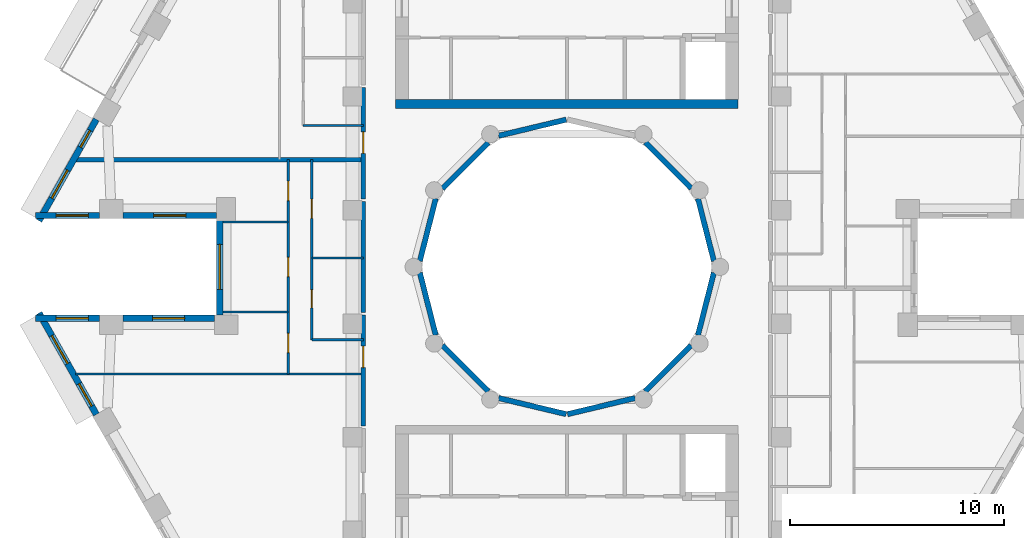
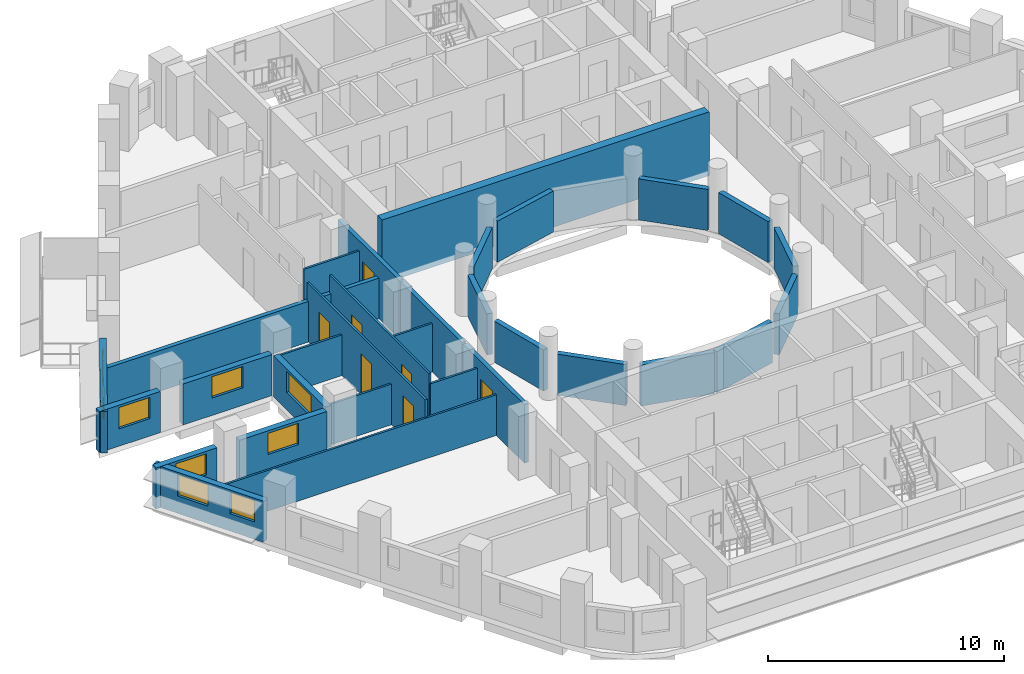
# One storey, part 4 of 13: 31 walls, 9 windows, 7 doors, 16 openings.
"""IFC4 building model written with IfcOpenShell, lengths in metres."""

from ifc_helpers import new_model, si_unit, direction, frame, frame_2d, origin, place, context, subcontext, project, spatial, rectangle, extrude, material, layer, layer_set, type_object, element, fill, save


model = new_model("IFC4")

# Units and contexts
model_context = context("Model", 3, precision=1e-05, world=origin(), true_north=direction((0.0, 1.0)))
body_context = subcontext(model_context, "Body", "Model", "MODEL_VIEW")
ifc_project = project(units=[si_unit("LENGTHUNIT", "METRE"), si_unit("AREAUNIT", "SQUARE_METRE"), si_unit("VOLUMEUNIT", "CUBIC_METRE"), si_unit("PLANEANGLEUNIT", "RADIAN"), si_unit("MASSUNIT", "GRAM", prefix="KILO")], contexts=[model_context])

# Site, building, storey
site_placement = place(None, origin())
site = spatial("IfcSite", under=ifc_project, at=site_placement, CompositionType="ELEMENT")
building_placement = place(site_placement, origin())
building = spatial("IfcBuilding", under=site, at=building_placement, Name="Nakaniwa Court", CompositionType="ELEMENT")
storey_placement = place(building_placement, frame((0.0, 0.0, 269.10009765625)))
storey = spatial("IfcBuildingStorey", under=building, at=storey_placement, Name="L71", CompositionType="ELEMENT", Elevation=269.10009765625)

# Wall, opening, door
ifc_material_1 = material(Name="Acoustic double stud partition")
ifc_layer_1 = layer(ifc_material_1, 0.199951171875)
ifc_layer_set_1 = layer_set([ifc_layer_1], Name="Acoustic double stud partition")
wall_type_1 = type_object("IfcWallType", Name="Acoustic double stud partition 200", PredefinedType="PARTITIONING", material=ifc_layer_set_1)
wall_1_placement = place(storey_placement, frame((70.5, 72.576904296875, 0.0), z_axis=(0.0, 0.0, 1.0), x_axis=(0.0, 1.0, 0.0)))
wall_1 = element("IfcWall", 1, at=wall_1_placement, inside=storey, type_object=wall_type_1, Name="Partition PW-088", PredefinedType="PARTITIONING", context=body_context, shape_type="SweptSolid", body=[
    extrude(rectangle(XDim=5.18603515625, YDim=0.199951171875, at=frame_2d((2.593017578125, 0.0))), origin(), (0.0, 0.0, 1.0), 3.02490234375),
])
opening_1_placement = place(wall_1_placement, frame((2.722900390625, 0.0, 0.0)))
opening_1 = element("IfcOpeningElement", 2, at=opening_1_placement, cuts=wall_1, Name="Opening D-01-02", PredefinedType="OPENING", context=body_context, shape_type="SweptSolid", body=[
    extrude(rectangle(XDim=1.0, YDim=2.10009765625, at=frame_2d((0.5, 1.050048828125))), frame((0.0, 0.10986328125, 0.0), z_axis=(0.0, -1.0, 0.0), x_axis=(1.0, 0.0, 0.0)), (0.0, 0.0, 1.0), 0.219970703125),
])
ifc_material_2 = material(Name="Solid core timber door set, black veneer", Category="wood")
door_type_1 = type_object("IfcDoorType", Name="Flat entrance door 1000", OperationType="NOTDEFINED", PredefinedType="DOOR", material=ifc_material_2)
door_1_placement = place(opening_1_placement, origin())
door_1 = element("IfcDoor", 3, at=door_1_placement, inside=storey, type_object=door_type_1, Name="Door D-01-02 L71-046", OperationType="SINGLE_SWING_LEFT", OverallHeight=2.10009765625, OverallWidth=1.0, PredefinedType="DOOR", context=body_context, shape_type="SweptSolid", body=[
    extrude(rectangle(XDim=1.0, YDim=2.10009765625, at=frame_2d((0.5, 1.050048828125))), frame((0.0, 0.02490234375, 0.0), z_axis=(0.0, -1.0, 0.0), x_axis=(1.0, 0.0, 0.0)), (0.0, 0.0, 1.0), 0.050048828125),
])
fill(opening_1, door_1)

# Wall
wall_2_placement = place(storey_placement, frame((70.5, 77.876953125, 0.0), z_axis=(0.0, 0.0, 1.0), x_axis=(0.0, 1.0, 0.0)))
element("IfcWall", 4, at=wall_2_placement, inside=storey, type_object=wall_type_1, Name="Partition PW-089", PredefinedType="PARTITIONING", context=body_context, shape_type="SweptSolid", body=[
    extrude(rectangle(XDim=5.18603515625, YDim=0.199951171875, at=frame_2d((2.593017578125, 0.0))), origin(), (0.0, 0.0, 1.0), 3.02490234375),
])

# Wall, opening, door
wall_3_placement = place(storey_placement, frame((70.5, 83.177001953125, 0.0), z_axis=(0.0, 0.0, 1.0), x_axis=(0.0, 1.0, 0.0)))
wall_3 = element("IfcWall", 5, at=wall_3_placement, inside=storey, type_object=wall_type_1, Name="Partition PW-090", PredefinedType="PARTITIONING", context=body_context, shape_type="SweptSolid", body=[
    extrude(rectangle(XDim=5.18603515625, YDim=0.199951171875, at=frame_2d((2.593017578125, 0.0))), origin(), (0.0, 0.0, 1.0), 3.02490234375),
])
opening_2_placement = place(wall_3_placement, frame((2.123046875, 0.0, 0.0)))
opening_2 = element("IfcOpeningElement", 6, at=opening_2_placement, cuts=wall_3, Name="Opening D-01-03", PredefinedType="OPENING", context=body_context, shape_type="SweptSolid", body=[
    extrude(rectangle(XDim=1.0, YDim=2.10009765625, at=frame_2d((0.5, 1.050048828125))), frame((0.0, 0.10986328125, 0.0), z_axis=(0.0, -1.0, 0.0), x_axis=(1.0, 0.0, 0.0)), (0.0, 0.0, 1.0), 0.219970703125),
])
door_2_placement = place(opening_2_placement, origin())
door_2 = element("IfcDoor", 7, at=door_2_placement, inside=storey, type_object=door_type_1, Name="Door D-01-03 L71-052", OperationType="SINGLE_SWING_LEFT", OverallHeight=2.10009765625, OverallWidth=1.0, PredefinedType="DOOR", context=body_context, shape_type="SweptSolid", body=[
    extrude(rectangle(XDim=1.0, YDim=2.10009765625, at=frame_2d((0.5, 1.050048828125))), frame((0.0, 0.02490234375, 0.0), z_axis=(0.0, -1.0, 0.0), x_axis=(1.0, 0.0, 0.0)), (0.0, 0.0, 1.0), 0.050048828125),
])
fill(opening_2, door_2)

# Wall
wall_4_placement = place(storey_placement, frame((57.0791015625, 85.0, 0.0), z_axis=(0.0, 0.0, 1.0), x_axis=(1.0, 0.0, 0.0)))
element("IfcWall", 8, at=wall_4_placement, inside=storey, type_object=wall_type_1, Name="Partition PW-114", PredefinedType="PARTITIONING", context=body_context, shape_type="SweptSolid", body=[
    extrude(rectangle(XDim=13.4208984375, YDim=0.199951171875, at=frame_2d((6.71044921875, 0.0))), origin(), (0.0, 0.0, 1.0), 2.10498046875),
])

# Wall, openings, windows
ifc_material_3 = material(Name="Charcoal ceramic cladding")
ifc_layer_2 = layer(ifc_material_3, 0.02, Name="Ceramic cladding")
ifc_material_4 = material(Name="Ventilated air cavity")
ifc_layer_3 = layer(ifc_material_4, 0.04, ventilated=True, Name="Ventilated cavity")
ifc_material_5 = material(Name="Mineral wool insulation")
ifc_layer_4 = layer(ifc_material_5, 0.1, Name="Insulation")
ifc_material_6 = material(Name="Cement bonded sheathing board")
ifc_layer_5 = layer(ifc_material_6, 0.012, Name="Sheathing")
ifc_material_7 = material(Name="Cold-formed galvanised stud frame with mineral wool infill")
ifc_layer_6 = layer(ifc_material_7, 0.1, Name="Stud frame")
ifc_material_8 = material(Name="Fire-rated gypsum plasterboard lining")
ifc_layer_7 = layer(ifc_material_8, 0.028, Name="Lining")
ifc_layer_set_2 = layer_set([ifc_layer_2, ifc_layer_3, ifc_layer_4, ifc_layer_5, ifc_layer_6, ifc_layer_7], Name="Charcoal ceramic faced external wall system")
wall_type_2 = type_object("IfcWallType", Name="Black ceramic faced external wall 300", PredefinedType="SOLIDWALL", material=ifc_layer_set_2)
wall_5_placement = place(storey_placement, frame((58.048095703125, 86.886474609375, 0.0), z_axis=(0.0, 0.0, 1.0), x_axis=(-0.492080931903, -0.870549456641, 0.0)))
wall_5 = element("IfcWall", 9, at=wall_5_placement, inside=storey, type_object=wall_type_2, Name="L71 external wall 14", PredefinedType="SOLIDWALL", context=body_context, shape_type="SweptSolid", body=[
    extrude(rectangle(XDim=5.436767578125, YDim=0.300048828125, at=frame_2d((2.71826171875, 0.0))), origin(), (0.0, 0.0, 1.0), 2.125),
])
opening_3_placement = place(wall_5_placement, frame((0.59814453125, 0.0, 0.89990234375)))
opening_3 = element("IfcOpeningElement", 10, at=opening_3_placement, cuts=wall_5, Name="Opening W9.14", PredefinedType="OPENING", context=body_context, shape_type="SweptSolid", body=[
    extrude(rectangle(XDim=0.89990234375, YDim=1.10009765625, at=frame_2d((0.449951171875, 0.550048828125))), frame((0.0, 0.159912109375, 0.0), z_axis=(0.0, -1.0, 0.0), x_axis=(1.0, 0.0, 0.0)), (0.0, 0.0, 1.0), 0.320068359375),
])
opening_4_placement = place(wall_5_placement, frame((2.72802734375, 0.0, 0.89990234375)))
opening_4 = element("IfcOpeningElement", 11, at=opening_4_placement, cuts=wall_5, Name="Opening W5.15", PredefinedType="OPENING", context=body_context, shape_type="SweptSolid", body=[
    extrude(rectangle(XDim=1.5, YDim=1.10009765625, at=frame_2d((0.75, 0.550048828125))), frame((0.0, 0.159912109375, 0.0), z_axis=(0.0, -1.0, 0.0), x_axis=(1.0, 0.0, 0.0)), (0.0, 0.0, 1.0), 0.320068359375),
])
ifc_material_9 = material(Name="Black anodised aluminium frame with dark low-E laminated double glazing", Category="aluminium")
window_type_1 = type_object("IfcWindowType", Name="Dark glass window 1500x1100 sill 900", PartitioningType="SINGLE_PANEL", PredefinedType="WINDOW", material=ifc_material_9)
window_1_placement = place(opening_4_placement, origin())
window_1 = element("IfcWindow", 12, at=window_1_placement, inside=storey, type_object=window_type_1, Name="L71 bedroom window 14-1", OverallHeight=1.10009765625, OverallWidth=1.5, PartitioningType="SINGLE_PANEL", PredefinedType="WINDOW", context=body_context, shape_type="SweptSolid", body=[
    extrude(rectangle(XDim=1.5, YDim=1.10009765625, at=frame_2d((0.75, 0.550048828125))), frame((0.0, 0.030029296875, 0.0), z_axis=(0.0, -1.0, 0.0), x_axis=(1.0, 0.0, 0.0)), (0.0, 0.0, 1.0), 0.06005859375),
])
fill(opening_4, window_1)
window_type_2 = type_object("IfcWindowType", Name="Dark glass window 900x1100 sill 900", PartitioningType="SINGLE_PANEL", PredefinedType="WINDOW", material=ifc_material_9)
window_2_placement = place(opening_3_placement, origin())
window_2 = element("IfcWindow", 13, at=window_2_placement, inside=storey, type_object=window_type_2, Name="L71 living window 14-0", OverallHeight=1.10009765625, OverallWidth=0.89990234375, PartitioningType="SINGLE_PANEL", PredefinedType="WINDOW", context=body_context, shape_type="SweptSolid", body=[
    extrude(rectangle(XDim=0.89990234375, YDim=1.10009765625, at=frame_2d((0.449951171875, 0.550048828125))), frame((0.0, 0.030029296875, 0.0), z_axis=(0.0, -1.0, 0.0), x_axis=(1.0, 0.0, 0.0)), (0.0, 0.0, 1.0), 0.06005859375),
])
fill(opening_3, window_2)

# Wall, opening, window
wall_6_placement = place(storey_placement, frame((55.2021484375, 82.39990234375, 0.0), z_axis=(0.0, 0.0, 1.0), x_axis=(1.0, 0.0, 0.0)))
wall_6 = element("IfcWall", 14, at=wall_6_placement, inside=storey, type_object=wall_type_2, Name="L71 external wall 15", PredefinedType="SOLIDWALL", context=body_context, shape_type="SweptSolid", body=[
    extrude(rectangle(XDim=2.98779296875, YDim=0.300048828125, at=frame_2d((1.493896484375, 0.0))), origin(), (0.0, 0.0, 1.0), 2.125),
])
opening_5_placement = place(wall_6_placement, frame((0.968994140625, 0.0, 0.89990234375)))
opening_5 = element("IfcOpeningElement", 15, at=opening_5_placement, cuts=wall_6, Name="Opening W5.16", PredefinedType="OPENING", context=body_context, shape_type="SweptSolid", body=[
    extrude(rectangle(XDim=1.5, YDim=1.10009765625, at=frame_2d((0.75, 0.550048828125))), frame((0.0, 0.159912109375, 0.0), z_axis=(0.0, -1.0, 0.0), x_axis=(1.0, 0.0, 0.0)), (0.0, 0.0, 1.0), 0.320068359375),
])
window_3_placement = place(opening_5_placement, origin())
window_3 = element("IfcWindow", 16, at=window_3_placement, inside=storey, type_object=window_type_1, Name="L71 bedroom window 15-0", OverallHeight=1.10009765625, OverallWidth=1.5, PartitioningType="SINGLE_PANEL", PredefinedType="WINDOW", context=body_context, shape_type="SweptSolid", body=[
    extrude(rectangle(XDim=1.5, YDim=1.10009765625, at=frame_2d((0.75, 0.550048828125))), frame((0.0, 0.030029296875, 0.0), z_axis=(0.0, -1.0, 0.0), x_axis=(1.0, 0.0, 0.0)), (0.0, 0.0, 1.0), 0.06005859375),
])
fill(opening_5, window_3)

wall_7_placement = place(storey_placement, frame((59.281982421875, 82.39990234375, 0.0), z_axis=(0.0, 0.0, 1.0), x_axis=(1.0, 0.0, 0.0)))
wall_7 = element("IfcWall", 17, at=wall_7_placement, inside=storey, type_object=wall_type_2, Name="L71 external wall 16", PredefinedType="SOLIDWALL", context=body_context, shape_type="SweptSolid", body=[
    extrude(rectangle(XDim=4.37255859375, YDim=0.300048828125, at=frame_2d((2.186279296875, 0.0))), origin(), (0.0, 0.0, 1.0), 2.125),
])
opening_6_placement = place(wall_7_placement, frame((1.436279296875, 0.0, 0.89990234375)))
opening_6 = element("IfcOpeningElement", 18, at=opening_6_placement, cuts=wall_7, Name="Opening W5.17", PredefinedType="OPENING", context=body_context, shape_type="SweptSolid", body=[
    extrude(rectangle(XDim=1.5, YDim=1.10009765625, at=frame_2d((0.75, 0.550048828125))), frame((0.0, 0.159912109375, 0.0), z_axis=(0.0, -1.0, 0.0), x_axis=(1.0, 0.0, 0.0)), (0.0, 0.0, 1.0), 0.320068359375),
])
window_4_placement = place(opening_6_placement, origin())
window_4 = element("IfcWindow", 19, at=window_4_placement, inside=storey, type_object=window_type_1, Name="L71 bedroom window 16-0", OverallHeight=1.10009765625, OverallWidth=1.5, PartitioningType="SINGLE_PANEL", PredefinedType="WINDOW", context=body_context, shape_type="SweptSolid", body=[
    extrude(rectangle(XDim=1.5, YDim=1.10009765625, at=frame_2d((0.75, 0.550048828125))), frame((0.0, 0.030029296875, 0.0), z_axis=(0.0, -1.0, 0.0), x_axis=(1.0, 0.0, 0.0)), (0.0, 0.0, 1.0), 0.06005859375),
])
fill(opening_6, window_4)

wall_8_placement = place(storey_placement, frame((63.800537109375, 82.154052734375, 0.0), z_axis=(0.0, 0.0, 1.0), x_axis=(0.0, -1.0, 0.0)))
wall_8 = element("IfcWall", 20, at=wall_8_placement, inside=storey, type_object=wall_type_2, Name="L71 external wall 17", PredefinedType="SOLIDWALL", context=body_context, shape_type="SweptSolid", body=[
    extrude(rectangle(XDim=4.407958984375, YDim=0.300048828125, at=frame_2d((2.2041015625, 0.0))), origin(), (0.0, 0.0, 1.0), 2.125),
])
opening_7_placement = place(wall_8_placement, frame((1.10400390625, 0.0, 0.89990234375)))
opening_7 = element("IfcOpeningElement", 21, at=opening_7_placement, cuts=wall_8, Name="Opening W7.18", PredefinedType="OPENING", context=body_context, shape_type="SweptSolid", body=[
    extrude(rectangle(XDim=2.10009765625, YDim=1.10009765625, at=frame_2d((1.050048828125, 0.550048828125))), frame((0.0, 0.159912109375, 0.0), z_axis=(0.0, -1.0, 0.0), x_axis=(1.0, 0.0, 0.0)), (0.0, 0.0, 1.0), 0.320068359375),
])
window_type_3 = type_object("IfcWindowType", Name="Dark glass window 2100x1100 sill 900", PartitioningType="SINGLE_PANEL", PredefinedType="WINDOW", material=ifc_material_9)
window_5_placement = place(opening_7_placement, origin())
window_5 = element("IfcWindow", 22, at=window_5_placement, inside=storey, type_object=window_type_3, Name="L71 living window 17-0", OverallHeight=1.10009765625, OverallWidth=2.10009765625, PartitioningType="SINGLE_PANEL", PredefinedType="WINDOW", context=body_context, shape_type="SweptSolid", body=[
    extrude(rectangle(XDim=2.10009765625, YDim=1.10009765625, at=frame_2d((1.050048828125, 0.550048828125))), frame((0.0, 0.030029296875, 0.0), z_axis=(0.0, -1.0, 0.0), x_axis=(1.0, 0.0, 0.0)), (0.0, 0.0, 1.0), 0.06005859375),
])
fill(opening_7, window_5)

wall_9_placement = place(storey_placement, frame((63.554443359375, 77.60009765625, 0.0), z_axis=(0.0, 0.0, 1.0), x_axis=(-1.0, 0.0, 0.0)))
wall_9 = element("IfcWall", 23, at=wall_9_placement, inside=storey, type_object=wall_type_2, Name="L71 external wall 18", PredefinedType="SOLIDWALL", context=body_context, shape_type="SweptSolid", body=[
    extrude(rectangle(XDim=4.2724609375, YDim=0.300048828125, at=frame_2d((2.13623046875, 0.0))), origin(), (0.0, 0.0, 1.0), 2.125),
])
opening_8_placement = place(wall_9_placement, frame((1.38623046875, 0.0, 0.89990234375)))
opening_8 = element("IfcOpeningElement", 24, at=opening_8_placement, cuts=wall_9, Name="Opening W5.19", PredefinedType="OPENING", context=body_context, shape_type="SweptSolid", body=[
    extrude(rectangle(XDim=1.5, YDim=1.10009765625, at=frame_2d((0.75, 0.550048828125))), frame((0.0, 0.159912109375, 0.0), z_axis=(0.0, -1.0, 0.0), x_axis=(1.0, 0.0, 0.0)), (0.0, 0.0, 1.0), 0.320068359375),
])
window_6_placement = place(opening_8_placement, origin())
window_6 = element("IfcWindow", 25, at=window_6_placement, inside=storey, type_object=window_type_1, Name="L71 bedroom window 18-0", OverallHeight=1.10009765625, OverallWidth=1.5, PartitioningType="SINGLE_PANEL", PredefinedType="WINDOW", context=body_context, shape_type="SweptSolid", body=[
    extrude(rectangle(XDim=1.5, YDim=1.10009765625, at=frame_2d((0.75, 0.550048828125))), frame((0.0, 0.030029296875, 0.0), z_axis=(0.0, -1.0, 0.0), x_axis=(1.0, 0.0, 0.0)), (0.0, 0.0, 1.0), 0.06005859375),
])
fill(opening_8, window_6)

wall_10_placement = place(storey_placement, frame((58.18994140625, 77.60009765625, 0.0), z_axis=(0.0, 0.0, 1.0), x_axis=(-1.0, 0.0, 0.0)))
wall_10 = element("IfcWall", 26, at=wall_10_placement, inside=storey, type_object=wall_type_2, Name="L71 external wall 19", PredefinedType="SOLIDWALL", context=body_context, shape_type="SweptSolid", body=[
    extrude(rectangle(XDim=2.98779296875, YDim=0.300048828125, at=frame_2d((1.493896484375, 0.0))), origin(), (0.0, 0.0, 1.0), 2.125),
])
opening_9_placement = place(wall_10_placement, frame((0.51904296875, 0.0, 0.89990234375)))
opening_9 = element("IfcOpeningElement", 27, at=opening_9_placement, cuts=wall_10, Name="Opening W5.20", PredefinedType="OPENING", context=body_context, shape_type="SweptSolid", body=[
    extrude(rectangle(XDim=1.5, YDim=1.10009765625, at=frame_2d((0.75, 0.550048828125))), frame((0.0, 0.159912109375, 0.0), z_axis=(0.0, -1.0, 0.0), x_axis=(1.0, 0.0, 0.0)), (0.0, 0.0, 1.0), 0.320068359375),
])
window_7_placement = place(opening_9_placement, origin())
window_7 = element("IfcWindow", 28, at=window_7_placement, inside=storey, type_object=window_type_1, Name="L71 bedroom window 19-0", OverallHeight=1.10009765625, OverallWidth=1.5, PartitioningType="SINGLE_PANEL", PredefinedType="WINDOW", context=body_context, shape_type="SweptSolid", body=[
    extrude(rectangle(XDim=1.5, YDim=1.10009765625, at=frame_2d((0.75, 0.550048828125))), frame((0.0, 0.030029296875, 0.0), z_axis=(0.0, -1.0, 0.0), x_axis=(1.0, 0.0, 0.0)), (0.0, 0.0, 1.0), 0.06005859375),
])
fill(opening_9, window_7)

# Wall, openings, windows
wall_11_placement = place(storey_placement, frame((55.372802734375, 77.846435546875, 0.0), z_axis=(0.0, 0.0, 1.0), x_axis=(0.492080931903, -0.870549456641, 0.0)))
wall_11 = element("IfcWall", 29, at=wall_11_placement, inside=storey, type_object=wall_type_2, Name="L71 external wall 20", PredefinedType="SOLIDWALL", context=body_context, shape_type="SweptSolid", body=[
    extrude(rectangle(XDim=5.436767578125, YDim=0.300048828125, at=frame_2d((2.71826171875, 0.0))), origin(), (0.0, 0.0, 1.0), 2.125),
])
opening_10_placement = place(wall_11_placement, frame((1.208740234375, 0.0, 0.89990234375)))
opening_10 = element("IfcOpeningElement", 30, at=opening_10_placement, cuts=wall_11, Name="Opening W5.21", PredefinedType="OPENING", context=body_context, shape_type="SweptSolid", body=[
    extrude(rectangle(XDim=1.5, YDim=1.10009765625, at=frame_2d((0.75, 0.550048828125))), frame((0.0, 0.159912109375, 0.0), z_axis=(0.0, -1.0, 0.0), x_axis=(1.0, 0.0, 0.0)), (0.0, 0.0, 1.0), 0.320068359375),
])
opening_11_placement = place(wall_11_placement, frame((3.78857421875, 0.0, 0.89990234375)))
opening_11 = element("IfcOpeningElement", 31, at=opening_11_placement, cuts=wall_11, Name="Opening W6.22", PredefinedType="OPENING", context=body_context, shape_type="SweptSolid", body=[
    extrude(rectangle(XDim=1.199951171875, YDim=1.10009765625, at=frame_2d((0.60009765625, 0.550048828125))), frame((0.0, 0.159912109375, 0.0), z_axis=(0.0, -1.0, 0.0), x_axis=(1.0, 0.0, 0.0)), (0.0, 0.0, 1.0), 0.320068359375),
])
window_type_4 = type_object("IfcWindowType", Name="Dark glass window 1200x1100 sill 900", PartitioningType="SINGLE_PANEL", PredefinedType="WINDOW", material=ifc_material_9)
window_8_placement = place(opening_11_placement, origin())
window_8 = element("IfcWindow", 32, at=window_8_placement, inside=storey, type_object=window_type_4, Name="L71 habitable room window 20-1", OverallHeight=1.10009765625, OverallWidth=1.199951171875, PartitioningType="SINGLE_PANEL", PredefinedType="WINDOW", context=body_context, shape_type="SweptSolid", body=[
    extrude(rectangle(XDim=1.199951171875, YDim=1.10009765625, at=frame_2d((0.60009765625, 0.550048828125))), frame((0.0, 0.030029296875, 0.0), z_axis=(0.0, -1.0, 0.0), x_axis=(1.0, 0.0, 0.0)), (0.0, 0.0, 1.0), 0.06005859375),
])
fill(opening_11, window_8)
window_9_placement = place(opening_10_placement, origin())
window_9 = element("IfcWindow", 33, at=window_9_placement, inside=storey, type_object=window_type_1, Name="L71 bedroom window 20-0", OverallHeight=1.10009765625, OverallWidth=1.5, PartitioningType="SINGLE_PANEL", PredefinedType="WINDOW", context=body_context, shape_type="SweptSolid", body=[
    extrude(rectangle(XDim=1.5, YDim=1.10009765625, at=frame_2d((0.75, 0.550048828125))), frame((0.0, 0.030029296875, 0.0), z_axis=(0.0, -1.0, 0.0), x_axis=(1.0, 0.0, 0.0)), (0.0, 0.0, 1.0), 0.06005859375),
])
fill(opening_10, window_9)

# Walls
ifc_layer_8 = layer(ifc_material_3, 0.02, Name="Ceramic cladding")
ifc_layer_9 = layer(ifc_material_4, 0.04, ventilated=True, Name="Ventilated cavity")
ifc_layer_10 = layer(ifc_material_5, 0.075, Name="Insulation")
ifc_layer_11 = layer(ifc_material_6, 0.012, Name="Sheathing")
ifc_layer_12 = layer(ifc_material_7, 0.075, Name="Stud frame")
ifc_layer_13 = layer(ifc_material_8, 0.028, Name="Lining")
ifc_layer_set_3 = layer_set([ifc_layer_8, ifc_layer_9, ifc_layer_10, ifc_layer_11, ifc_layer_12, ifc_layer_13], Name="Charcoal ceramic faced external wall system")
wall_type_3 = type_object("IfcWallType", Name="Charcoal ceramic faced well wall 250", PredefinedType="SOLIDWALL", material=ifc_layer_set_3)
wall_12_placement = place(storey_placement, frame((86.8603515625, 79.72998046875, 0.0), z_axis=(0.0, 0.0, 1.0), x_axis=(-0.247055971283, -0.969001211069, 0.0)))
element("IfcWall", 34, at=wall_12_placement, inside=storey, type_object=wall_type_3, Name="L71 external wall 36", PredefinedType="SOLIDWALL", context=body_context, shape_type="SweptSolid", body=[
    extrude(rectangle(XDim=3.010009765625, YDim=0.25, at=frame_2d((1.5048828125, 0.0))), origin(), (0.0, 0.0, 1.0), 2.125),
])
wall_13_placement = place(storey_placement, frame((85.8056640625, 76.339111328125, 0.0), z_axis=(0.0, 0.0, 1.0), x_axis=(-0.707106781187, -0.707106781187, 0.0)))
element("IfcWall", 35, at=wall_13_placement, inside=storey, type_object=wall_type_3, Name="L71 external wall 37", PredefinedType="SOLIDWALL", context=body_context, shape_type="SweptSolid", body=[
    extrude(rectangle(XDim=3.033203125, YDim=0.25, at=frame_2d((1.5166015625, 0.0))), origin(), (0.0, 0.0, 1.0), 2.125),
])
for number, where, z_axis, x_axis, name in (
    (36, (83.186279296875, 73.880615234375, 0.0), (0.0, 0.0, 1.0), (-0.972773113459, -0.231759508395, 0.0), "L71 external wall 38"),
    (37, (79.970947265625, 73.12841796875, 0.0), (0.0, 0.0, 1.0), (-0.972773113459, 0.231759508395, 0.0), "L71 external wall 39"),
):
    element("IfcWall", number, at=place(storey_placement, frame(where, z_axis=z_axis, x_axis=x_axis)), inside=storey, type_object=wall_type_3, Name=name, PredefinedType="SOLIDWALL", context=body_context, shape_type="SweptSolid", body=[
        extrude(rectangle(XDim=3.24560546875, YDim=0.25, at=frame_2d((1.622802734375, 0.0))), origin(), (0.0, 0.0, 1.0), 2.125),
    ])
wall_14_placement = place(storey_placement, frame((76.339111328125, 74.1943359375, 0.0), z_axis=(0.0, 0.0, 1.0), x_axis=(-0.707106781187, 0.707106781187, 0.0)))
element("IfcWall", 38, at=wall_14_placement, inside=storey, type_object=wall_type_3, Name="L71 external wall 40", PredefinedType="SOLIDWALL", context=body_context, shape_type="SweptSolid", body=[
    extrude(rectangle(XDim=3.033203125, YDim=0.25, at=frame_2d((1.5166015625, 0.0))), origin(), (0.0, 0.0, 1.0), 2.125),
])
for number, where, z_axis, x_axis, name in (
    (39, (73.88330078125, 76.813232421875, 0.0), (0.0, 0.0, 1.0), (-0.247055971283, 0.969001211069, 0.0), "L71 external wall 41"),
    (40, (73.1396484375, 80.27001953125, 0.0), (0.0, 0.0, 1.0), (0.247055971283, 0.969001211069, 0.0), "L71 external wall 42"),
):
    element("IfcWall", number, at=place(storey_placement, frame(where, z_axis=z_axis, x_axis=x_axis)), inside=storey, type_object=wall_type_3, Name=name, PredefinedType="SOLIDWALL", context=body_context, shape_type="SweptSolid", body=[
        extrude(rectangle(XDim=3.010009765625, YDim=0.25, at=frame_2d((1.5048828125, 0.0))), origin(), (0.0, 0.0, 1.0), 2.125),
    ])
wall_15_placement = place(storey_placement, frame((74.1943359375, 83.660888671875, 0.0), z_axis=(0.0, 0.0, 1.0), x_axis=(0.707106781187, 0.707106781187, 0.0)))
element("IfcWall", 41, at=wall_15_placement, inside=storey, type_object=wall_type_3, Name="L71 external wall 43", PredefinedType="SOLIDWALL", context=body_context, shape_type="SweptSolid", body=[
    extrude(rectangle(XDim=3.033203125, YDim=0.25, at=frame_2d((1.5166015625, 0.0))), origin(), (0.0, 0.0, 1.0), 2.125),
])
wall_16_placement = place(storey_placement, frame((76.813720703125, 86.119384765625, 0.0), z_axis=(0.0, 0.0, 1.0), x_axis=(0.972773113459, 0.231759508395, 0.0)))
element("IfcWall", 42, at=wall_16_placement, inside=storey, type_object=wall_type_3, Name="L71 external wall 44", PredefinedType="SOLIDWALL", context=body_context, shape_type="SweptSolid", body=[
    extrude(rectangle(XDim=3.24560546875, YDim=0.25, at=frame_2d((1.622802734375, 0.0))), origin(), (0.0, 0.0, 1.0), 2.125),
])
wall_17_placement = place(storey_placement, frame((83.660888671875, 85.8056640625, 0.0), z_axis=(0.0, 0.0, 1.0), x_axis=(0.707106781187, -0.707106781187, 0.0)))
element("IfcWall", 43, at=wall_17_placement, inside=storey, type_object=wall_type_3, Name="L71 external wall 46", PredefinedType="SOLIDWALL", context=body_context, shape_type="SweptSolid", body=[
    extrude(rectangle(XDim=3.033203125, YDim=0.25, at=frame_2d((1.5166015625, 0.0))), origin(), (0.0, 0.0, 1.0), 2.125),
])
wall_18_placement = place(storey_placement, frame((86.11669921875, 83.186767578125, 0.0), z_axis=(0.0, 0.0, 1.0), x_axis=(0.247055971283, -0.969001211069, 0.0)))
element("IfcWall", 44, at=wall_18_placement, inside=storey, type_object=wall_type_3, Name="L71 external wall 47", PredefinedType="SOLIDWALL", context=body_context, shape_type="SweptSolid", body=[
    extrude(rectangle(XDim=3.010009765625, YDim=0.25, at=frame_2d((1.5048828125, 0.0))), origin(), (0.0, 0.0, 1.0), 2.125),
])
ifc_material_10 = material(Name="Concrete C80/100", Category="concrete")
ifc_layer_14 = layer(ifc_material_10, 0.39990234375)
ifc_layer_set_4 = layer_set([ifc_layer_14], Name="Concrete C80/100")
wall_type_4 = type_object("IfcWallType", Name="Concrete core well wall 400 C80", PredefinedType="SHEAR", material=ifc_layer_set_4)
wall_19_placement = place(storey_placement, frame((72.00390625, 87.60009765625, -0.275146484375), z_axis=(0.0, 0.0, 1.0), x_axis=(1.0, 0.0, 0.0)))
element("IfcWall", 45, at=wall_19_placement, inside=storey, type_object=wall_type_4, Name="Core wall SW-122", PredefinedType="SHEAR", context=body_context, shape_type="SweptSolid", body=[
    extrude(rectangle(XDim=15.9921875, YDim=0.39990234375, at=frame_2d((7.99609375, 0.0))), origin(), (0.0, 0.0, 1.0), 3.300048828125),
])
ifc_material_11 = material(Name="Single stud plasterboard partition")
ifc_layer_15 = layer(ifc_material_11, 0.10009765625)
ifc_layer_set_5 = layer_set([ifc_layer_15], Name="Single stud plasterboard partition")
wall_type_5 = type_object("IfcWallType", Name="Single stud plasterboard partition 100", PredefinedType="PARTITIONING", material=ifc_layer_set_5)
wall_20_placement = place(storey_placement, frame((57.0791015625, 75.0, 0.0), z_axis=(0.0, 0.0, 1.0), x_axis=(1.0, 0.0, 0.0)))
element("IfcWall", 46, at=wall_20_placement, inside=storey, type_object=wall_type_5, Name="Partition PW-110", PredefinedType="PARTITIONING", context=body_context, shape_type="SweptSolid", body=[
    extrude(rectangle(XDim=13.4208984375, YDim=0.10009765625, at=frame_2d((6.71044921875, 0.0))), origin(), (0.0, 0.0, 1.0), 2.10498046875),
])
for number, where, z_axis, x_axis, name in (
    (47, (68.10009765625, 80.41796875, 0.0), (0.0, 0.0, 1.0), (1.0, 0.0, 0.0), "Partition PW-111"),
    (48, (68.10009765625, 76.60009765625, 0.0), (0.0, 0.0, 1.0), (1.0, 0.0, 0.0), "Partition PW-112"),
):
    element("IfcWall", number, at=place(storey_placement, frame(where, z_axis=z_axis, x_axis=x_axis)), inside=storey, type_object=wall_type_5, Name=name, PredefinedType="PARTITIONING", context=body_context, shape_type="SweptSolid", body=[
        extrude(rectangle(XDim=2.39990234375, YDim=0.10009765625, at=frame_2d((1.199951171875, 0.0))), origin(), (0.0, 0.0, 1.0), 2.5048828125),
    ])

# Wall, openings, doors
wall_21_placement = place(storey_placement, frame((68.10009765625, 85.0, 0.0), z_axis=(0.0, 0.0, 1.0), x_axis=(0.0, -1.0, 0.0)))
wall_21 = element("IfcWall", 49, at=wall_21_placement, inside=storey, type_object=wall_type_5, Name="Partition PW-113", PredefinedType="PARTITIONING", context=body_context, shape_type="SweptSolid", body=[
    extrude(rectangle(XDim=8.39990234375, YDim=0.10009765625, at=frame_2d((4.199951171875, 0.0))), origin(), (0.0, 0.0, 1.0), 3.02490234375),
])
opening_12_placement = place(wall_21_placement, frame((6.06591796875, 0.0, 0.0)))
opening_12 = element("IfcOpeningElement", 50, at=opening_12_placement, cuts=wall_21, Name="Opening D-03-03", PredefinedType="OPENING", context=body_context, shape_type="SweptSolid", body=[
    extrude(rectangle(XDim=0.85009765625, YDim=2.10009765625, at=frame_2d((0.425048828125, 1.050048828125))), frame((0.0, 0.06005859375, 0.0), z_axis=(0.0, -1.0, 0.0), x_axis=(1.0, 0.0, 0.0)), (0.0, 0.0, 1.0), 0.1201171875),
])
opening_13_placement = place(wall_21_placement, frame((1.841064453125, 0.0, 0.0)))
opening_13 = element("IfcOpeningElement", 51, at=opening_13_placement, cuts=wall_21, Name="Opening D-33-09", PredefinedType="OPENING", context=body_context, shape_type="SweptSolid", body=[
    extrude(rectangle(XDim=0.89990234375, YDim=2.10009765625, at=frame_2d((0.449951171875, 1.050048828125))), frame((0.0, 0.06005859375, 0.0), z_axis=(0.0, -1.0, 0.0), x_axis=(1.0, 0.0, 0.0)), (0.0, 0.0, 1.0), 0.1201171875),
])
ifc_material_12 = material(Name="Moisture sealed timber door set", Category="wood")
door_type_2 = type_object("IfcDoorType", Name="Bathroom door 850", OperationType="NOTDEFINED", PredefinedType="DOOR", material=ifc_material_12)
door_3_placement = place(opening_12_placement, origin())
door_3 = element("IfcDoor", 52, at=door_3_placement, inside=storey, type_object=door_type_2, Name="Door D-03-03 L71-047", OperationType="SINGLE_SWING_RIGHT", OverallHeight=2.10009765625, OverallWidth=0.85009765625, PredefinedType="DOOR", context=body_context, shape_type="SweptSolid", body=[
    extrude(rectangle(XDim=0.85009765625, YDim=2.10009765625, at=frame_2d((0.425048828125, 1.050048828125))), frame((0.0, 0.02490234375, 0.0), z_axis=(0.0, -1.0, 0.0), x_axis=(1.0, 0.0, 0.0)), (0.0, 0.0, 1.0), 0.050048828125),
])
fill(opening_12, door_3)
door_type_3 = type_object("IfcDoorType", Name="Internal door 900", OperationType="NOTDEFINED", PredefinedType="DOOR", material=ifc_material_2)
door_4_placement = place(opening_13_placement, origin())
door_4 = element("IfcDoor", 53, at=door_4_placement, inside=storey, type_object=door_type_3, Name="Door D-33-09 L71-048", OperationType="SINGLE_SWING_LEFT", OverallHeight=2.10009765625, OverallWidth=0.89990234375, PredefinedType="DOOR", context=body_context, shape_type="SweptSolid", body=[
    extrude(rectangle(XDim=0.89990234375, YDim=2.10009765625, at=frame_2d((0.449951171875, 1.050048828125))), frame((0.0, 0.02490234375, 0.0), z_axis=(0.0, -1.0, 0.0), x_axis=(1.0, 0.0, 0.0)), (0.0, 0.0, 1.0), 0.050048828125),
])
fill(opening_13, door_4)

wall_22_placement = place(storey_placement, frame((67.0, 75.0, 0.0), z_axis=(0.0, 0.0, 1.0), x_axis=(0.0, 1.0, 0.0)))
wall_22 = element("IfcWall", 54, at=wall_22_placement, inside=storey, type_object=wall_type_5, Name="Partition PW-115", PredefinedType="PARTITIONING", context=body_context, shape_type="SweptSolid", body=[
    extrude(rectangle(XDim=10.0, YDim=0.10009765625, at=frame_2d((5.0, 0.0))), origin(), (0.0, 0.0, 1.0), 3.02490234375),
])
opening_14_placement = place(wall_22_placement, frame((1.001953125, 0.0, 0.0)))
opening_14 = element("IfcOpeningElement", 55, at=opening_14_placement, cuts=wall_22, Name="Opening D-33-10", PredefinedType="OPENING", context=body_context, shape_type="SweptSolid", body=[
    extrude(rectangle(XDim=0.89990234375, YDim=2.10009765625, at=frame_2d((0.449951171875, 1.050048828125))), frame((0.0, 0.06005859375, 0.0), z_axis=(0.0, -1.0, 0.0), x_axis=(1.0, 0.0, 0.0)), (0.0, 0.0, 1.0), 0.1201171875),
])
opening_15_placement = place(wall_22_placement, frame((4.550048828125, 0.0, 0.0)))
opening_15 = element("IfcOpeningElement", 56, at=opening_15_placement, cuts=wall_22, Name="Opening D-33-11", PredefinedType="OPENING", context=body_context, shape_type="SweptSolid", body=[
    extrude(rectangle(XDim=0.89990234375, YDim=2.10009765625, at=frame_2d((0.449951171875, 1.050048828125))), frame((0.0, 0.06005859375, 0.0), z_axis=(0.0, -1.0, 0.0), x_axis=(1.0, 0.0, 0.0)), (0.0, 0.0, 1.0), 0.1201171875),
])
opening_16_placement = place(wall_22_placement, frame((8.097900390625, 0.0, 0.0)))
opening_16 = element("IfcOpeningElement", 57, at=opening_16_placement, cuts=wall_22, Name="Opening D-33-12", PredefinedType="OPENING", context=body_context, shape_type="SweptSolid", body=[
    extrude(rectangle(XDim=0.89990234375, YDim=2.10009765625, at=frame_2d((0.449951171875, 1.050048828125))), frame((0.0, 0.06005859375, 0.0), z_axis=(0.0, -1.0, 0.0), x_axis=(1.0, 0.0, 0.0)), (0.0, 0.0, 1.0), 0.1201171875),
])
door_5_placement = place(opening_14_placement, origin())
door_5 = element("IfcDoor", 58, at=door_5_placement, inside=storey, type_object=door_type_3, Name="Door D-33-10 L71-049", OperationType="SINGLE_SWING_RIGHT", OverallHeight=2.10009765625, OverallWidth=0.89990234375, PredefinedType="DOOR", context=body_context, shape_type="SweptSolid", body=[
    extrude(rectangle(XDim=0.89990234375, YDim=2.10009765625, at=frame_2d((0.449951171875, 1.050048828125))), frame((0.0, 0.02490234375, 0.0), z_axis=(0.0, -1.0, 0.0), x_axis=(1.0, 0.0, 0.0)), (0.0, 0.0, 1.0), 0.050048828125),
])
fill(opening_14, door_5)
door_6_placement = place(opening_15_placement, origin())
door_6 = element("IfcDoor", 59, at=door_6_placement, inside=storey, type_object=door_type_3, Name="Door D-33-11 L71-050", OperationType="SINGLE_SWING_LEFT", OverallHeight=2.10009765625, OverallWidth=0.89990234375, PredefinedType="DOOR", context=body_context, shape_type="SweptSolid", body=[
    extrude(rectangle(XDim=0.89990234375, YDim=2.10009765625, at=frame_2d((0.449951171875, 1.050048828125))), frame((0.0, 0.02490234375, 0.0), z_axis=(0.0, -1.0, 0.0), x_axis=(1.0, 0.0, 0.0)), (0.0, 0.0, 1.0), 0.050048828125),
])
fill(opening_15, door_6)
door_7_placement = place(opening_16_placement, origin())
door_7 = element("IfcDoor", 60, at=door_7_placement, inside=storey, type_object=door_type_3, Name="Door D-33-12 L71-051", OperationType="SINGLE_SWING_RIGHT", OverallHeight=2.10009765625, OverallWidth=0.89990234375, PredefinedType="DOOR", context=body_context, shape_type="SweptSolid", body=[
    extrude(rectangle(XDim=0.89990234375, YDim=2.10009765625, at=frame_2d((0.449951171875, 1.050048828125))), frame((0.0, 0.02490234375, 0.0), z_axis=(0.0, -1.0, 0.0), x_axis=(1.0, 0.0, 0.0)), (0.0, 0.0, 1.0), 0.050048828125),
])
fill(opening_16, door_7)

# Walls
for number, where, z_axis, x_axis, name in (
    (61, (63.950439453125, 77.903076171875, 0.0), (0.0, 0.0, 1.0), (1.0, 0.0, 0.0), "Partition PW-116"),
    (62, (63.950439453125, 82.096923828125, 0.0), (0.0, 0.0, 1.0), (1.0, 0.0, 0.0), "Partition PW-117"),
):
    element("IfcWall", number, at=place(storey_placement, frame(where, z_axis=z_axis, x_axis=x_axis)), inside=storey, type_object=wall_type_5, Name=name, PredefinedType="PARTITIONING", context=body_context, shape_type="SweptSolid", body=[
        extrude(rectangle(XDim=3.049560546875, YDim=0.10009765625, at=frame_2d((1.52490234375, 0.0))), origin(), (0.0, 0.0, 1.0), 2.10498046875),
    ])
wall_23_placement = place(storey_placement, frame((67.699951171875, 86.60009765625, 0.0), z_axis=(0.0, 0.0, 1.0), x_axis=(1.0, 0.0, 0.0)))
element("IfcWall", 63, at=wall_23_placement, inside=storey, type_object=wall_type_5, Name="Partition PW-119", PredefinedType="PARTITIONING", context=body_context, shape_type="SweptSolid", body=[
    extrude(rectangle(XDim=2.800048828125, YDim=0.10009765625, at=frame_2d((1.39990234375, 0.0))), origin(), (0.0, 0.0, 1.0), 2.5048828125),
])

save(model, "model.ifc")
